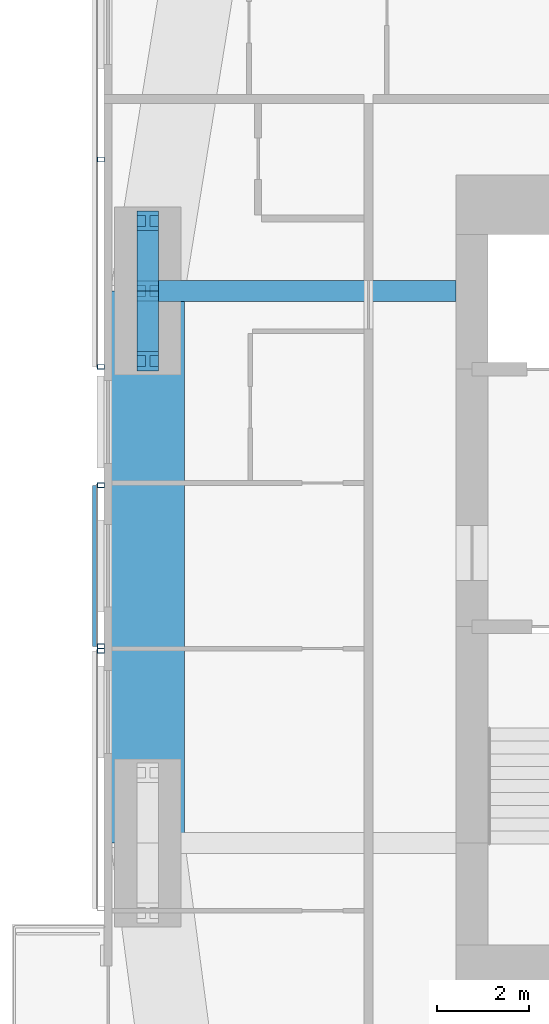
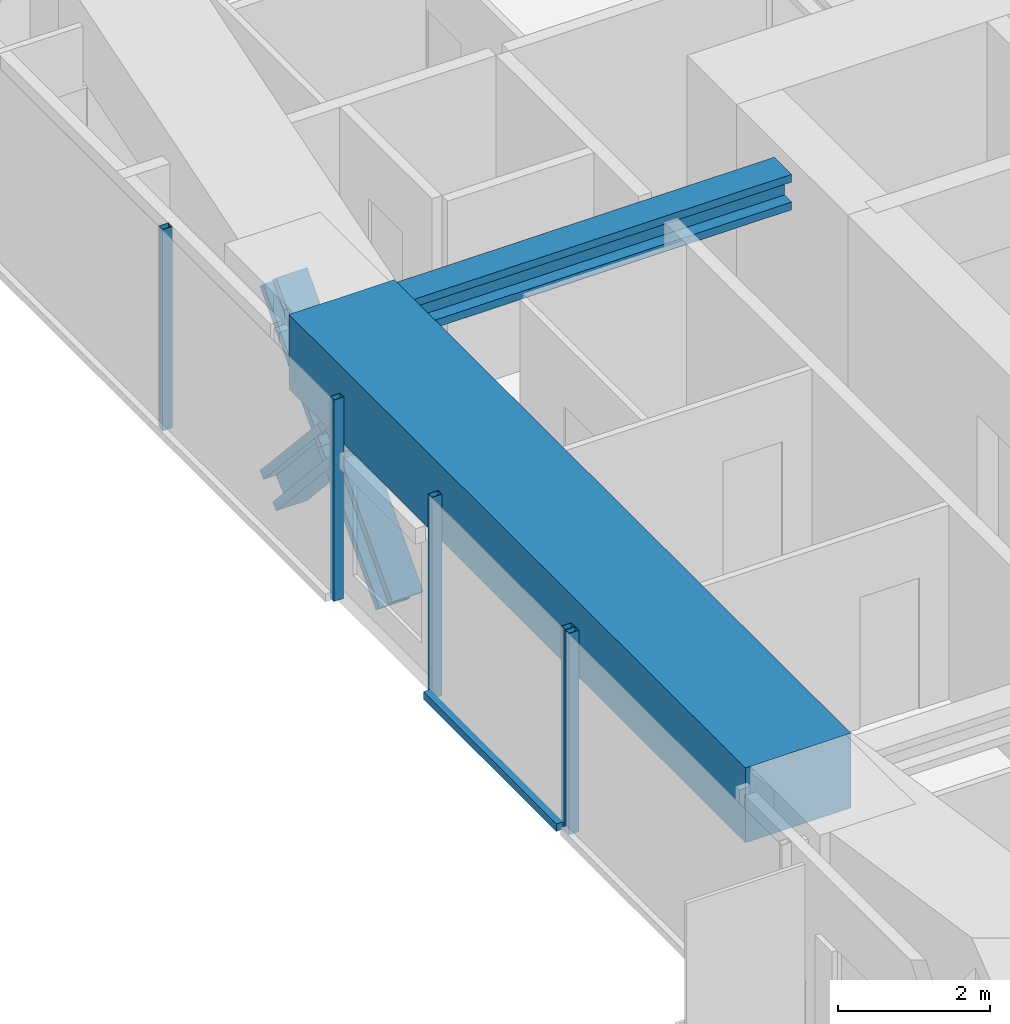
# One storey, part 5 of 23: 10 members, 2 beams, 3 elements without a shape of their own.
"""IFC4 building model written with IfcOpenShell, lengths in metres."""

from ifc_helpers import new_model, si_unit, direction, frame, origin, origin_2d, place, context, subcontext, project, spatial, rectangle, hollow_rectangle, i_section, extrude, material, material_profile, profile_set, type_object, element, aggregate, save


model = new_model("IFC4")

# Units and contexts
model_context = context("Model", 3, precision=1e-05, world=origin(), true_north=direction((0.0, 1.0)))
body_context = subcontext(model_context, "Body", "Model", "MODEL_VIEW")
ifc_project = project(units=[si_unit("LENGTHUNIT", "METRE"), si_unit("AREAUNIT", "SQUARE_METRE"), si_unit("VOLUMEUNIT", "CUBIC_METRE"), si_unit("PLANEANGLEUNIT", "RADIAN"), si_unit("MASSUNIT", "GRAM", prefix="KILO")], contexts=[model_context])

# Site, building, storey
site_placement = place(None, origin())
site = spatial("IfcSite", under=ifc_project, at=site_placement, CompositionType="ELEMENT")
building_placement = place(site_placement, origin())
building = spatial("IfcBuilding", under=site, at=building_placement, Name="Jalousie Tower", CompositionType="ELEMENT")
storey_placement = place(building_placement, frame((0.0, 0.0, 197.89990234375)))
storey = spatial("IfcBuildingStorey", under=building, at=storey_placement, Name="L54", CompositionType="ELEMENT", Elevation=197.89990234375)

# Beam
ifc_material_1 = material(Name="Steel ASTM A992 Grade 50", Category="steel")
ifc_material_profile_1 = material_profile(ifc_material_1, i_section(OverallWidth=0.45458984375, OverallDepth=0.569091796875, WebThickness=0.077880859375, FlangeThickness=0.124755859375, at=origin_2d()), Name="W14X730")
ifc_profile_set_1 = profile_set([ifc_material_profile_1], Name="Steel ASTM A992 Grade 50")
beam_type_1 = type_object("IfcBeamType", Name="LEAN COLLECTOR W14X730", PredefinedType="BEAM", material=ifc_profile_set_1)
beam_1_placement = place(storey_placement, frame((12.949951171875, 25.0, 2.82568359375), z_axis=(1.0, 0.0, 0.0), x_axis=(0.0, 1.0, 0.0)))
element("IfcBeam", 1, at=beam_1_placement, inside=storey, type_object=beam_type_1, Name="Lean collector under L55", PredefinedType="BEAM", context=body_context, shape_type="SweptSolid", body=[
    extrude(i_section(OverallWidth=0.45458984375, OverallDepth=0.569091796875, WebThickness=0.077880859375, FlangeThickness=0.124755859375, at=origin_2d()), origin(), (0.0, 0.0, 1.0), 6.699951171875),
])

# Members
ifc_material_2 = material(Name="Steel ASTM A992 Grade 50", Category="steel")
ifc_material_profile_2 = material_profile(ifc_material_2, i_section(OverallWidth=0.472412109375, OverallDepth=0.5791015625, WebThickness=0.094970703125, FlangeThickness=0.1298828125, at=origin_2d()), Name="W14X808")
ifc_profile_set_2 = profile_set([ifc_material_profile_2], Name="Steel ASTM A992 Grade 50")
member_type_1 = type_object("IfcMemberType", Name="PERIMETER BRACE W14X808", PredefinedType="BRACE", material=ifc_profile_set_2)
for number, where, z_axis, x_axis, name in (
    (2, (12.949951171875, 23.47509765625, -0.599853515625), (0.0, 0.673187629365, 0.739471713908), (-1.0, 0.0, 0.0), "Perimeter brace 13 L54 part 1"),
    (3, (12.949951171875, 25.0, 1.0751953125), (0.0, 0.673241284601, 0.739422864611), (-1.0, 0.0, 0.0), "Perimeter brace 13 L54 part 2"),
    (4, (12.949951171875, 26.52490234375, -0.599853515625), (0.0, -0.673187629365, 0.739471713908), (1.0, 0.0, 0.0), "Perimeter brace 13 L54 part 3"),
    (5, (12.949951171875, 25.0, 1.0751953125), (0.0, -0.673241284601, 0.739422864611), (1.0, 0.0, 0.0), "Perimeter brace 13 L54 part 4"),
):
    element("IfcMember", number, at=place(storey_placement, frame(where, z_axis=z_axis, x_axis=x_axis)), inside=storey, type_object=member_type_1, Name=name, PredefinedType="BRACE", context=body_context, shape_type="SweptSolid", body=[
        extrude(i_section(OverallWidth=0.472412109375, OverallDepth=0.5791015625, WebThickness=0.094970703125, FlangeThickness=0.1298828125, at=origin_2d()), origin(), (0.0, 0.0, 1.0), 2.26513671875),
    ])

# Beam
ifc_material_3 = material(Name="Concrete f'c 40 MPa", Category="concrete")
ifc_material_profile_3 = material_profile(ifc_material_3, rectangle(XDim=1.60009765625, YDim=1.199951171875, at=origin_2d()), Name="RC 1600x1200")
ifc_profile_set_3 = profile_set([ifc_material_profile_3], Name="Concrete f'c 40 MPa")
beam_type_2 = type_object("IfcBeamType", Name="RC BEAM 1600x1200", PredefinedType="BEAM", material=ifc_profile_set_3)
beam_2_placement = place(storey_placement, frame((12.949951171875, 25.0, 2.75), z_axis=(0.0, -1.0, 0.0), x_axis=(1.0, 0.0, 0.0)))
element("IfcBeam", 6, at=beam_2_placement, inside=storey, type_object=beam_type_2, Name="Edge band beam 13-14 under L55", PredefinedType="BEAM", context=body_context, shape_type="SweptSolid", body=[
    extrude(rectangle(XDim=1.60009765625, YDim=1.199951171875, at=origin_2d()), origin(), (0.0, 0.0, 1.0), 12.0),
])

# Curtain wall, members
ifc_material_4 = material(Name="Perforated aluminium sheet", Category="aluminium")
curtain_wall_type = type_object("IfcCurtainWallType", Name="SOLAR SCREEN SS-1", PredefinedType="USERDEFINED", material=ifc_material_4)
curtain_wall_1_placement = place(storey_placement, origin())
curtain_wall_1 = element("IfcCurtainWall", 7, at=curtain_wall_1_placement, inside=storey, type_object=curtain_wall_type, Name="Solar screen L54", ObjectType="SOLAR SCREEN SS-1", PredefinedType="USERDEFINED")
ifc_material_5 = material(Name="Steel ASTM A500 Grade C", Category="steel")
ifc_material_profile_4 = material_profile(ifc_material_5, hollow_rectangle(XDim=0.1015625, YDim=0.15234375, WallThickness=0.00634765625, at=origin_2d()), Name="HSS6X4X1/4")
ifc_profile_set_4 = profile_set([ifc_material_profile_4], Name="Steel ASTM A500 Grade C")
member_type_2 = type_object("IfcMemberType", Name="SOLAR SCREEN SS-1 MULLION", PredefinedType="MULLION", material=ifc_profile_set_4)
member_1_placement = place(storey_placement, frame((11.9287109375, 27.860107421875, -0.119873046875), z_axis=(0.0, 0.0, 1.0), x_axis=(0.0, -1.0, 0.0)))
member_1 = element("IfcMember", 8, at=member_1_placement, type_object=member_type_2, Name="SS1 post 2", PredefinedType="MULLION", context=body_context, shape_type="SweptSolid", body=[
    extrude(hollow_rectangle(XDim=0.1015625, YDim=0.15234375, WallThickness=0.00634765625, at=origin_2d()), origin(), (0.0, 0.0, 1.0), 3.22998046875),
])
member_2_placement = place(storey_placement, frame((11.9287109375, 23.35009765625, -0.119873046875), z_axis=(0.0, 0.0, 1.0), x_axis=(0.0, -1.0, 0.0)))
member_2 = element("IfcMember", 9, at=member_2_placement, type_object=member_type_2, Name="SS1 post 3", PredefinedType="MULLION", context=body_context, shape_type="SweptSolid", body=[
    extrude(hollow_rectangle(XDim=0.1015625, YDim=0.15234375, WallThickness=0.00634765625, at=origin_2d()), origin(), (0.0, 0.0, 1.0), 3.22998046875),
])
aggregate(curtain_wall_1, [member_1, member_2])

curtain_wall_2_placement = place(storey_placement, origin())
curtain_wall_2 = element("IfcCurtainWall", 10, at=curtain_wall_2_placement, inside=storey, type_object=curtain_wall_type, Name="Solar screen L54", ObjectType="SOLAR SCREEN SS-1", PredefinedType="USERDEFINED")
member_3_placement = place(storey_placement, frame((11.9287109375, 20.77490234375, -0.119873046875), z_axis=(0.0, 0.0, 1.0), x_axis=(0.0, -1.0, 0.0)))
member_3 = element("IfcMember", 11, at=member_3_placement, type_object=member_type_2, Name="SS1 post 1", PredefinedType="MULLION", context=body_context, shape_type="SweptSolid", body=[
    extrude(hollow_rectangle(XDim=0.1015625, YDim=0.15234375, WallThickness=0.00634765625, at=origin_2d()), origin(), (0.0, 0.0, 1.0), 3.22998046875),
])
member_4_placement = place(storey_placement, frame((11.9287109375, 17.27490234375, -0.119873046875), z_axis=(0.0, 0.0, 1.0), x_axis=(0.0, -1.0, 0.0)))
member_4 = element("IfcMember", 12, at=member_4_placement, type_object=member_type_2, Name="SS1 post 2", PredefinedType="MULLION", context=body_context, shape_type="SweptSolid", body=[
    extrude(hollow_rectangle(XDim=0.1015625, YDim=0.15234375, WallThickness=0.00634765625, at=origin_2d()), origin(), (0.0, 0.0, 1.0), 3.22998046875),
])

# Curtain wall, member
curtain_wall_3_placement = place(storey_placement, origin())
curtain_wall_3 = element("IfcCurtainWall", 13, at=curtain_wall_3_placement, inside=storey, type_object=curtain_wall_type, Name="Solar screen L54", ObjectType="SOLAR SCREEN SS-1", PredefinedType="USERDEFINED")
member_5_placement = place(storey_placement, frame((11.9287109375, 17.175048828125, -0.119873046875), z_axis=(0.0, 0.0, 1.0), x_axis=(0.0, -1.0, 0.0)))
member_5 = element("IfcMember", 14, at=member_5_placement, type_object=member_type_2, Name="SS1 post 1", PredefinedType="MULLION", context=body_context, shape_type="SweptSolid", body=[
    extrude(hollow_rectangle(XDim=0.1015625, YDim=0.15234375, WallThickness=0.00634765625, at=origin_2d()), origin(), (0.0, 0.0, 1.0), 3.22998046875),
])
aggregate(curtain_wall_3, [member_5])

# Member
ifc_material_6 = material(Name="Extruded aluminium screen rail", Category="aluminium")
ifc_material_profile_5 = material_profile(ifc_material_6, rectangle(XDim=0.1015625, YDim=0.1201171875, at=origin_2d()), Name="RAIL 102x120")
ifc_profile_set_5 = profile_set([ifc_material_profile_5], Name="Extruded aluminium screen rail")
member_type_3 = type_object("IfcMemberType", Name="SOLAR SCREEN SS-1 TRANSOM", PredefinedType="USERDEFINED", material=ifc_profile_set_5)
member_6_placement = place(storey_placement, frame((11.8017578125, 20.77490234375, -0.059814453125), z_axis=(0.0, -1.0, 0.0), x_axis=(1.0, 0.0, 0.0)))
member_6 = element("IfcMember", 15, at=member_6_placement, type_object=member_type_3, Name="SS1 rail", ObjectType="TRANSOM", PredefinedType="USERDEFINED", context=body_context, shape_type="SweptSolid", body=[
    extrude(rectangle(XDim=0.1015625, YDim=0.1201171875, at=origin_2d()), origin(), (0.0, 0.0, 1.0), 3.5),
])

aggregate(curtain_wall_2, [member_3, member_4, member_6])

save(model, "model.ifc")
